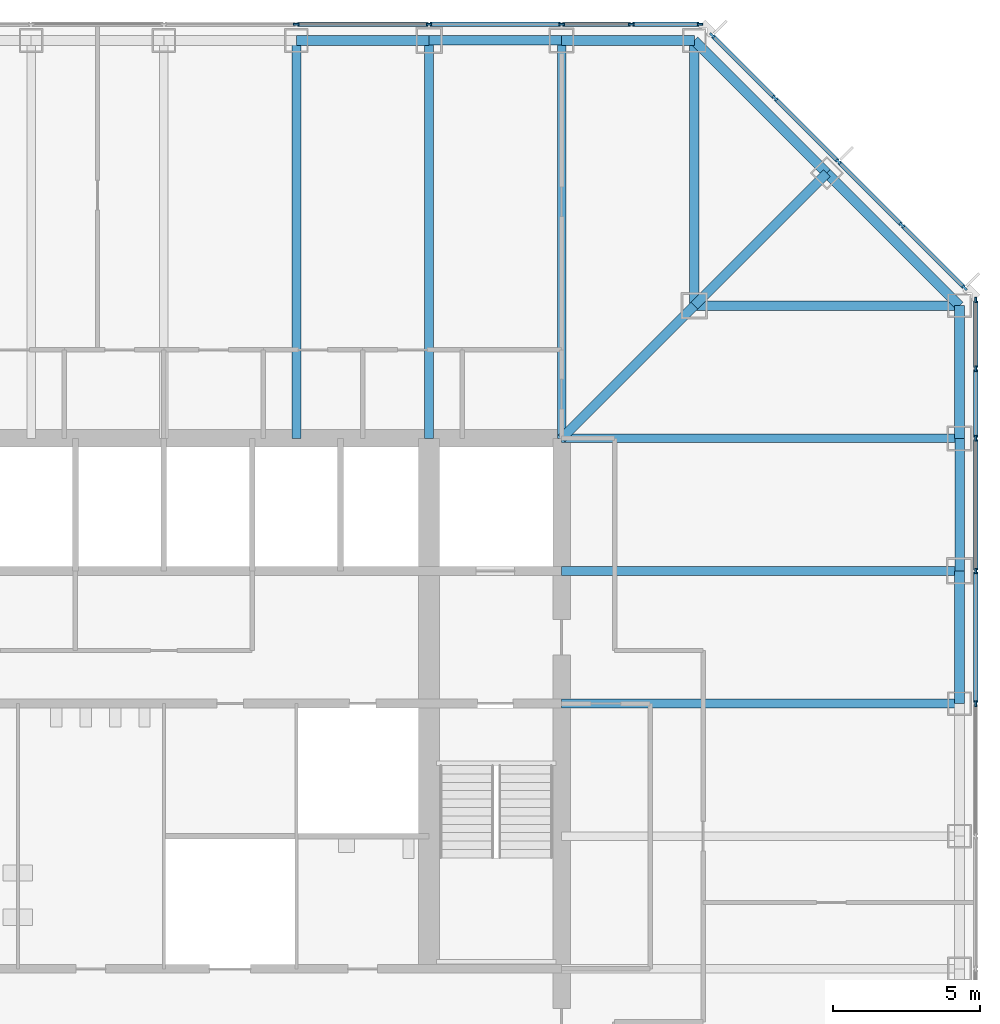
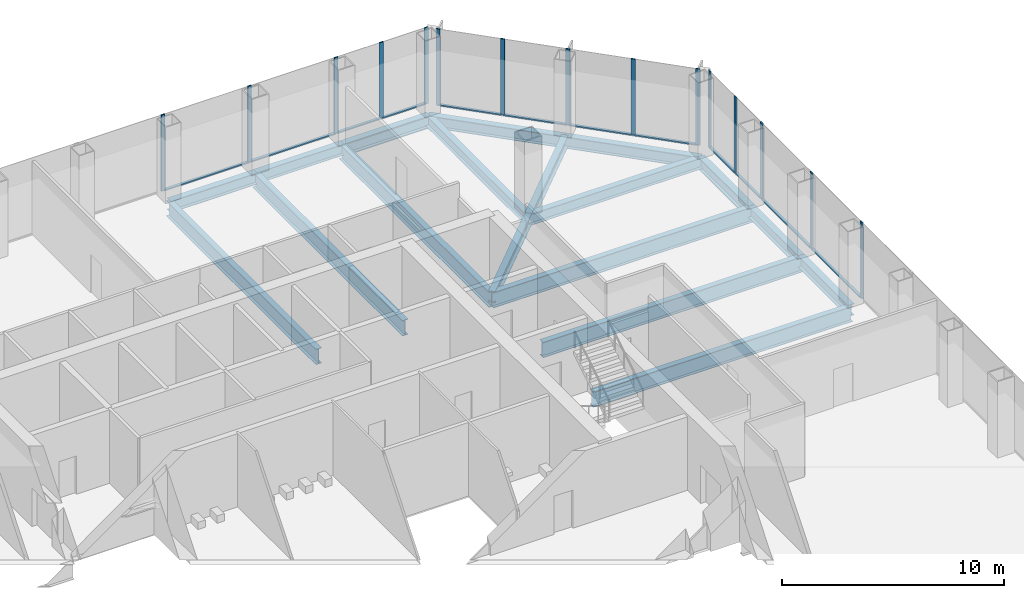
# One storey, part 6 of 13: 27 members, 18 beams, 3 elements without a shape of their own.
"""IFC4 building model written with IfcOpenShell, lengths in metres."""

import ifcopenshell
import ifcopenshell.guid

model = None  # the IFC model being written
_history = None  # IfcOwnerHistory: only IFC2X3 demands one
_inside = {}  # id of a spatial element -> (the spatial element, [elements in it])
_under = {}  # id of a project, library or spatial element -> (it, [spatial elements below it])
_declared = {}  # id of a project -> (the project, [libraries it declares])
_typed = {}  # id of a type object -> (the type object, [elements of that type])
_made_of = {}  # id of a material, layer set ... -> (it, [elements and type objects made of it])


def new_model(schema):
    """Start an empty IFC model of exactly this schema.

    Asked for "IFC4X3", IfcOpenShell would pick the latest addendum, in which some entities
    have other attributes; the version numbers below select the first issue.
    IFC2X3 requires an IfcOwnerHistory on every rooted entity: one is made here for all.
    """
    global model, _history
    if schema == "IFC4X3":
        model = ifcopenshell.file(schema_version=(4, 3, 0, 0))
    else:
        model = ifcopenshell.file(schema=schema)
    _inside.clear()
    _under.clear()
    _declared.clear()
    _typed.clear()
    _made_of.clear()
    _history = None
    if model.schema == "IFC2X3":
        org = make("IfcOrganization", Name="unknown")
        user = make(
            "IfcPersonAndOrganization",
            ThePerson=make("IfcPerson", FamilyName="unknown"),
            TheOrganization=org,
        )
        app = make(
            "IfcApplication",
            ApplicationDeveloper=org,
            Version="unknown",
            ApplicationFullName="unknown",
            ApplicationIdentifier="unknown",
        )
        _history = make(
            "IfcOwnerHistory",
            OwningUser=user,
            OwningApplication=app,
            ChangeAction="ADDED",
            CreationDate=0,
        )
    return model


def make(cls, **values):
    """One entity of the class cls with the attributes given. An attribute that is None is left unset."""
    return model.create_entity(
        cls, **{name: value for name, value in values.items() if value is not None}
    )


def rooted(cls, **values):
    """An entity with a GlobalId (a new one), such as an element, a storey or a relation."""
    return make(cls, GlobalId=ifcopenshell.guid.new(), OwnerHistory=_history, **values)


def si_unit(unit_type, name, prefix=None):
    """IfcSIUnit, for example si_unit("LENGTHUNIT", "METRE", prefix="MILLI")."""
    return make("IfcSIUnit", UnitType=unit_type, Prefix=prefix, Name=name)


def assignment(units):
    """IfcUnitAssignment: the units of a project."""
    return None if units is None else make("IfcUnitAssignment", Units=units)


def point(xyz):
    """IfcCartesianPoint."""
    return None if xyz is None else make("IfcCartesianPoint", Coordinates=xyz)


def direction(xyz):
    """IfcDirection."""
    return None if xyz is None else make("IfcDirection", DirectionRatios=xyz)


def frame(location, z_axis=None, x_axis=None):
    """IfcAxis2Placement3D, a coordinate frame: its origin and axes. An axis left out is left unset."""
    return make(
        "IfcAxis2Placement3D",
        Location=point(location),
        Axis=direction(z_axis),
        RefDirection=direction(x_axis),
    )


def frame_2d(location, x_axis=None):
    """IfcAxis2Placement2D, a coordinate frame in the plane: its origin and x axis."""
    return make(
        "IfcAxis2Placement2D", Location=point(location), RefDirection=direction(x_axis)
    )


def origin():
    """The frame at (0, 0, 0) with its axes left unset."""
    return frame((0.0, 0.0, 0.0))


def origin_2d():
    """The frame at (0, 0) in the plane with its x axis left unset."""
    return frame_2d((0.0, 0.0))


def place(relative_to, where):
    """IfcLocalPlacement: puts the frame where relative to a parent placement (None: the world)."""
    return make(
        "IfcLocalPlacement", PlacementRelTo=relative_to, RelativePlacement=where
    )


def context(
    kind, dimensions, precision=None, world=None, true_north=None, identifier=None
):
    """IfcGeometricRepresentationContext, for example the 3D "Model" context."""
    return make(
        "IfcGeometricRepresentationContext",
        ContextIdentifier=identifier,
        ContextType=kind,
        CoordinateSpaceDimension=dimensions,
        Precision=precision,
        WorldCoordinateSystem=world,
        TrueNorth=true_north,
    )


def subcontext(parent, identifier, kind, view, scale=None):
    """IfcGeometricRepresentationSubContext, for example "Body" below "Model"."""
    return make(
        "IfcGeometricRepresentationSubContext",
        ContextIdentifier=identifier,
        ContextType=kind,
        ParentContext=parent,
        TargetScale=scale,
        TargetView=view,
    )


def project(units=None, contexts=None):
    """IfcProject with its units and contexts."""
    return rooted(
        "IfcProject",
        Name="project",
        RepresentationContexts=contexts,
        UnitsInContext=assignment(units),
    )


def spatial(cls, under=None, at=None, **own):
    """A site, building, storey or space (cls), placed at a placement, below another one or the project."""
    s = rooted(cls, ObjectPlacement=at, **own)
    if under is not None:
        _under.setdefault(under.id(), (under, []))[1].append(s)
    return s


def profile(cls, at=None, kind="AREA", **sizes):
    """A parametric profile (cls). Its sizes go by their IFC names, for example OverallWidth=200.0."""
    return make(cls, ProfileType=kind, Position=at, **sizes)


def rectangle(**sizes):
    """IfcRectangleProfileDef."""
    return profile("IfcRectangleProfileDef", **sizes)


def i_section(**sizes):
    """IfcIShapeProfileDef."""
    return profile("IfcIShapeProfileDef", **sizes)


def extrude(swept, where, along, depth):
    """IfcExtrudedAreaSolid: the profile swept, set in the frame where, extruded along a direction by depth."""
    return make(
        "IfcExtrudedAreaSolid",
        SweptArea=swept,
        Position=where,
        ExtrudedDirection=direction(along),
        Depth=depth,
    )


def shape(context_of_items, identifier, shape_type, items):
    """IfcShapeRepresentation: the items that make up one representation, for example the "Body"."""
    return make(
        "IfcShapeRepresentation",
        ContextOfItems=context_of_items,
        RepresentationIdentifier=identifier,
        RepresentationType=shape_type,
        Items=items,
    )


def material(Name=None, Category=None):
    """IfcMaterial."""
    return make("IfcMaterial", Name=Name, Category=Category)


def material_profile(
    of_material, cross_section, Name=None, Category=None, Priority=None
):
    """IfcMaterialProfile: a cross section and its material."""
    return make(
        "IfcMaterialProfile",
        Name=Name,
        Material=of_material,
        Profile=cross_section,
        Priority=Priority,
        Category=Category,
    )


def profile_set(profiles, Name=None, composite=None):
    """IfcMaterialProfileSet."""
    return make(
        "IfcMaterialProfileSet",
        Name=Name,
        MaterialProfiles=profiles,
        CompositeProfile=composite,
    )


def made_of(thing, what):
    """Note that an element or type object is made of a material, layer set ...; save() writes the relation."""
    if what is not None:
        _made_of.setdefault(what.id(), (what, []))[1].append(thing)
    return thing


def type_object(cls, material=None, **own):
    """A type object (cls), such as IfcWallType, which elements share."""
    return made_of(rooted(cls, **own), material)


def element(
    cls,
    number,
    at=None,
    inside=None,
    cuts=None,
    type_object=None,
    material=None,
    context=None,
    identifier="Body",
    shape_type=None,
    held_by="IfcProductDefinitionShape",
    body=None,
    shapes=None,
    **own,
):
    """One element of the class cls, such as IfcWall. Its Tag is "e" and its number.

    at: its placement. inside: the storey or other place that contains it. cuts: it is an
    opening in that element (IfcRelVoidsElement). A single representation is given by context,
    identifier, shape_type and body (its items); several are given by shapes. held_by: the class
    of the entity that holds the representations. save() writes the other relations.
    """
    e = rooted(cls, Tag="e%d" % number, ObjectPlacement=at, **own)
    if body is not None:
        shapes = [shape(context, identifier, shape_type, body)]
    if shapes is not None:
        e.Representation = make(held_by, Representations=shapes)
    if inside is not None:
        _inside.setdefault(inside.id(), (inside, []))[1].append(e)
    if cuts is not None:
        rooted(
            "IfcRelVoidsElement", RelatingBuildingElement=cuts, RelatedOpeningElement=e
        )
    if type_object is not None:
        _typed.setdefault(type_object.id(), (type_object, []))[1].append(e)
    return made_of(e, material)


def aggregate(whole, parts):
    """IfcRelAggregates: a whole, such as a stair, and the parts it consists of."""
    return rooted("IfcRelAggregates", RelatingObject=whole, RelatedObjects=parts)


def save(model, path):
    """Write the relations noted so far, then the file.

    IfcRelAggregates (storeys below a building ...), IfcRelContainedInSpatialStructure (elements
    in a storey), IfcRelDefinesByType, IfcRelAssociatesMaterial and IfcRelDeclares: one each for
    every whole, place, type object, material and project.
    """
    for whole, parts in _under.values():
        aggregate(whole, parts)
    for where, things in _inside.values():
        rooted(
            "IfcRelContainedInSpatialStructure",
            RelatedElements=things,
            RelatingStructure=where,
        )
    for kind, things in _typed.values():
        rooted("IfcRelDefinesByType", RelatedObjects=things, RelatingType=kind)
    for what, things in _made_of.values():
        rooted("IfcRelAssociatesMaterial", RelatedObjects=things, RelatingMaterial=what)
    for by, libraries in _declared.values():
        rooted("IfcRelDeclares", RelatingContext=by, RelatedDefinitions=libraries)
    model.write(path)


model = new_model("IFC4")

# Units and contexts
model_context = context("Model", 3, precision=1e-05, world=origin(), true_north=direction((0.0, 1.0)))
body_context = subcontext(model_context, "Body", "Model", "MODEL_VIEW")
ifc_project = project(units=[si_unit("LENGTHUNIT", "METRE"), si_unit("AREAUNIT", "SQUARE_METRE"), si_unit("VOLUMEUNIT", "CUBIC_METRE"), si_unit("PLANEANGLEUNIT", "RADIAN"), si_unit("MASSUNIT", "GRAM", prefix="KILO")], contexts=[model_context])

# Site, building, storey
site_placement = place(None, origin())
site = spatial("IfcSite", under=ifc_project, at=site_placement, CompositionType="ELEMENT")
building_placement = place(site_placement, origin())
building = spatial("IfcBuilding", under=site, at=building_placement, Name="Corais Broadcast Tower", CompositionType="ELEMENT")
storey_placement = place(building_placement, frame((0.0, 0.0, 62.60009765625)))
storey = spatial("IfcBuildingStorey", under=building, at=storey_placement, Name="L13", CompositionType="ELEMENT", Elevation=62.60009765625)

# Beams
ifc_material_1 = material(Name="Steel ASTM A572 Grade 50", Category="steel")
ifc_material_profile_1 = material_profile(ifc_material_1, i_section(OverallWidth=0.323974609375, OverallDepth=0.611083984375, WebThickness=0.0126953125, FlangeThickness=0.01904296875, at=origin_2d()), Name="W610x155")
ifc_profile_set_1 = profile_set([ifc_material_profile_1], Name="Steel ASTM A572 Grade 50")
beam_type_1 = type_object("IfcBeamType", Name="Chamfer tie W610x155", PredefinedType="BEAM", material=ifc_profile_set_1)
beam_1_placement = place(storey_placement, frame((49.5, 49.5, -0.465576171875), z_axis=(-0.707106781187, -0.707106781187, 0.0), x_axis=(0.707106781187, -0.707106781187, 0.0)))
element("IfcBeam", 1, at=beam_1_placement, inside=storey, type_object=beam_type_1, Name="B5 M/14 to L/13", PredefinedType="BEAM", context=body_context, shape_type="SweptSolid", body=[
    extrude(i_section(OverallWidth=0.323974609375, OverallDepth=0.611083984375, WebThickness=0.0126953125, FlangeThickness=0.01904296875, at=origin_2d()), origin(), (0.0, 0.0, 1.0), 6.364013671875),
])
ifc_material_2 = material(Name="Steel ASTM A572 Grade 50", Category="steel")
ifc_material_profile_2 = material_profile(ifc_material_2, i_section(OverallWidth=0.323974609375, OverallDepth=0.611083984375, WebThickness=0.0126953125, FlangeThickness=0.01904296875, at=origin_2d()), Name="W610x155")
ifc_profile_set_2 = profile_set([ifc_material_profile_2], Name="Steel ASTM A572 Grade 50")
beam_type_2 = type_object("IfcBeamType", Name="Corner diagonal W610x155", PredefinedType="BEAM", material=ifc_profile_set_2)
beam_2_placement = place(storey_placement, frame((45.0, 45.0, -0.465576171875), z_axis=(-0.707106781187, -0.707106781187, 0.0), x_axis=(0.707106781187, -0.707106781187, 0.0)))
element("IfcBeam", 2, at=beam_2_placement, inside=storey, type_object=beam_type_2, Name="B6 L/13 to K/12", PredefinedType="BEAM", context=body_context, shape_type="SweptSolid", body=[
    extrude(i_section(OverallWidth=0.323974609375, OverallDepth=0.611083984375, WebThickness=0.0126953125, FlangeThickness=0.01904296875, at=origin_2d()), origin(), (0.0, 0.0, 1.0), 6.364013671875),
])
ifc_material_3 = material(Name="Steel ASTM A572 Grade 50", Category="steel")
ifc_material_profile_3 = material_profile(ifc_material_3, i_section(OverallWidth=0.323974609375, OverallDepth=0.611083984375, WebThickness=0.0126953125, FlangeThickness=0.01904296875, at=origin_2d()), Name="W610x155")
ifc_profile_set_3 = profile_set([ifc_material_profile_3], Name="Steel ASTM A572 Grade 50")
beam_type_3 = type_object("IfcBeamType", Name="Corner girder W610x155", PredefinedType="BEAM", material=ifc_profile_set_3)
for number, where, z_axis, x_axis, name in (
    (3, (45.0, 54.0, -0.465576171875), (0.0, -1.0, 0.0), (1.0, 0.0, 0.0), "B4 N/13 to L/13"),
    (4, (54.0, 45.0, -0.465576171875), (-1.0, 0.0, 0.0), (0.0, -1.0, 0.0), "B4 L/15 to L/13"),
):
    element("IfcBeam", number, at=place(storey_placement, frame(where, z_axis=z_axis, x_axis=x_axis)), inside=storey, type_object=beam_type_3, Name=name, PredefinedType="BEAM", context=body_context, shape_type="SweptSolid", body=[
        extrude(i_section(OverallWidth=0.323974609375, OverallDepth=0.611083984375, WebThickness=0.0126953125, FlangeThickness=0.01904296875, at=origin_2d()), origin(), (0.0, 0.0, 1.0), 9.0),
    ])
ifc_material_4 = material(Name="Steel ASTM A572 Grade 50", Category="steel")
ifc_material_profile_4 = material_profile(ifc_material_4, i_section(OverallWidth=0.337890625, OverallDepth=0.677978515625, WebThickness=0.029541015625, FlangeThickness=0.052978515625, at=origin_2d()), Name="W610x415")
ifc_profile_set_4 = profile_set([ifc_material_profile_4], Name="Steel ASTM A572 Grade 50")
beam_type_4 = type_object("IfcBeamType", Name="Corner spandrel W610x415", PredefinedType="BEAM", material=ifc_profile_set_4)
for number, where, z_axis, x_axis, name in (
    (5, (45.0, 54.0, -0.4990234375), (-1.0, 0.0, 0.0), (0.0, -1.0, 0.0), "SB10 N/13 to N/12"),
    (6, (54.0, 40.5, -0.4990234375), (0.0, 1.0, 0.0), (-1.0, 0.0, 0.0), "SB10 K/15 to L/15"),
):
    element("IfcBeam", number, at=place(storey_placement, frame(where, z_axis=z_axis, x_axis=x_axis)), inside=storey, type_object=beam_type_4, Name=name, PredefinedType="BEAM", context=body_context, shape_type="SweptSolid", body=[
        extrude(i_section(OverallWidth=0.337890625, OverallDepth=0.677978515625, WebThickness=0.029541015625, FlangeThickness=0.052978515625, at=origin_2d()), origin(), (0.0, 0.0, 1.0), 4.5),
    ])
ifc_material_5 = material(Name="Steel ASTM A572 Grade 50", Category="steel")
ifc_material_profile_5 = material_profile(ifc_material_5, i_section(OverallWidth=0.2939453125, OverallDepth=0.85107421875, WebThickness=0.01611328125, FlangeThickness=0.02685546875, at=origin_2d()), Name="W840x226")
ifc_profile_set_5 = profile_set([ifc_material_profile_5], Name="Steel ASTM A572 Grade 50")
beam_type_5 = type_object("IfcBeamType", Name="Floor beam W840x226", PredefinedType="BEAM", material=ifc_profile_set_5)
for number, where, z_axis, x_axis, name in (
    (7, (31.5, 54.0, -0.585693359375), (0.0, -1.0, 0.0), (1.0, 0.0, 0.0), "B1 N/10 to K/10"),
    (8, (36.0, 54.0, -0.585693359375), (0.0, -1.0, 0.0), (1.0, 0.0, 0.0), "B1 N/11 to K/11"),
    (9, (40.5, 54.0, -0.585693359375), (0.0, -1.0, 0.0), (1.0, 0.0, 0.0), "B1 N/12 to K/12"),
    (10, (54.0, 31.5, -0.585693359375), (-1.0, 0.0, 0.0), (0.0, -1.0, 0.0), "B1 H/15 to H/12"),
    (11, (54.0, 36.0, -0.585693359375), (-1.0, 0.0, 0.0), (0.0, -1.0, 0.0), "B1 J/15 to J/12"),
    (12, (54.0, 40.5, -0.585693359375), (-1.0, 0.0, 0.0), (0.0, -1.0, 0.0), "B1 K/15 to K/12"),
):
    element("IfcBeam", number, at=place(storey_placement, frame(where, z_axis=z_axis, x_axis=x_axis)), inside=storey, type_object=beam_type_5, Name=name, PredefinedType="BEAM", context=body_context, shape_type="SweptSolid", body=[
        extrude(i_section(OverallWidth=0.2939453125, OverallDepth=0.85107421875, WebThickness=0.01611328125, FlangeThickness=0.02685546875, at=origin_2d()), origin(), (0.0, 0.0, 1.0), 13.5),
    ])

# Curtain wall, members
ifc_material_6 = material(Name="Aluminium and glass", Category="aluminium")
curtain_wall_type = type_object("IfcCurtainWallType", Name="Unitised fritted curtain wall CW1", PredefinedType="NOTDEFINED", material=ifc_material_6)
curtain_wall_1_placement = place(storey_placement, origin())
curtain_wall_1 = element("IfcCurtainWall", 13, at=curtain_wall_1_placement, inside=storey, type_object=curtain_wall_type, Name="CW1 curtain wall L13 4", PredefinedType="NOTDEFINED")
ifc_material_7 = material(Name="Aluminium 6063-T6", Category="aluminium")
ifc_material_profile_6 = material_profile(ifc_material_7, rectangle(XDim=0.06494140625, YDim=0.199951171875, at=origin_2d()), Name="Mullion CW1 65x200")
ifc_profile_set_6 = profile_set([ifc_material_profile_6], Name="Aluminium 6063-T6")
member_type_1 = type_object("IfcMemberType", Name="Mullion CW1 65x200", PredefinedType="MULLION", material=ifc_profile_set_6)
member_1_placement = place(storey_placement, frame((31.5, 54.550048828125, 0.0), z_axis=(0.0, 0.0, 1.0), x_axis=(0.0, 1.0, 0.0)))
member_1 = element("IfcMember", 14, at=member_1_placement, type_object=member_type_1, Name="CW1 mullion 7", PredefinedType="MULLION", context=body_context, shape_type="SweptSolid", body=[
    extrude(rectangle(XDim=0.06494140625, YDim=0.199951171875, at=origin_2d()), origin(), (0.0, 0.0, 1.0), 4.199951171875),
])
member_2_placement = place(storey_placement, frame((36.0, 54.550048828125, 0.0), z_axis=(0.0, 0.0, 1.0), x_axis=(0.0, 1.0, 0.0)))
member_2 = element("IfcMember", 15, at=member_2_placement, type_object=member_type_1, Name="CW1 mullion 8", PredefinedType="MULLION", context=body_context, shape_type="SweptSolid", body=[
    extrude(rectangle(XDim=0.06494140625, YDim=0.199951171875, at=origin_2d()), origin(), (0.0, 0.0, 1.0), 4.199951171875),
])
member_3_placement = place(storey_placement, frame((40.5, 54.550048828125, 0.0), z_axis=(0.0, 0.0, 1.0), x_axis=(0.0, 1.0, 0.0)))
member_3 = element("IfcMember", 16, at=member_3_placement, type_object=member_type_1, Name="CW1 mullion 9", PredefinedType="MULLION", context=body_context, shape_type="SweptSolid", body=[
    extrude(rectangle(XDim=0.06494140625, YDim=0.199951171875, at=origin_2d()), origin(), (0.0, 0.0, 1.0), 4.199951171875),
])
member_4_placement = place(storey_placement, frame((42.864013671875, 54.550048828125, 0.0), z_axis=(0.0, 0.0, 1.0), x_axis=(0.0, 1.0, 0.0)))
member_4 = element("IfcMember", 17, at=member_4_placement, type_object=member_type_1, Name="CW1 mullion 10", PredefinedType="MULLION", context=body_context, shape_type="SweptSolid", body=[
    extrude(rectangle(XDim=0.06494140625, YDim=0.199951171875, at=origin_2d()), origin(), (0.0, 0.0, 1.0), 4.199951171875),
])
member_5_placement = place(storey_placement, frame((45.1953125, 54.550048828125, 0.0), z_axis=(0.0, 0.0, 1.0), x_axis=(0.0, 1.0, 0.0)))
member_5 = element("IfcMember", 18, at=member_5_placement, type_object=member_type_1, Name="CW1 mullion 11", PredefinedType="MULLION", context=body_context, shape_type="SweptSolid", body=[
    extrude(rectangle(XDim=0.06494140625, YDim=0.199951171875, at=origin_2d()), origin(), (0.0, 0.0, 1.0), 4.199951171875),
])

curtain_wall_2_placement = place(storey_placement, origin())
curtain_wall_2 = element("IfcCurtainWall", 19, at=curtain_wall_2_placement, inside=storey, type_object=curtain_wall_type, Name="CW1 curtain wall L13 5", PredefinedType="NOTDEFINED")
member_6_placement = place(storey_placement, frame((45.6044921875, 54.17333984375, 0.0), z_axis=(0.0, 0.0, 1.0), x_axis=(0.707106781187, 0.707106781187, 0.0)))
member_6 = element("IfcMember", 20, at=member_6_placement, type_object=member_type_1, Name="CW1 mullion 1", PredefinedType="MULLION", context=body_context, shape_type="SweptSolid", body=[
    extrude(rectangle(XDim=0.06494140625, YDim=0.199951171875, at=origin_2d()), origin(), (0.0, 0.0, 1.0), 4.199951171875),
])
member_7_placement = place(storey_placement, frame((47.735107421875, 52.042724609375, 0.0), z_axis=(0.0, 0.0, 1.0), x_axis=(0.707106781187, 0.707106781187, 0.0)))
member_7 = element("IfcMember", 21, at=member_7_placement, type_object=member_type_1, Name="CW1 mullion 2", PredefinedType="MULLION", context=body_context, shape_type="SweptSolid", body=[
    extrude(rectangle(XDim=0.06494140625, YDim=0.199951171875, at=origin_2d()), origin(), (0.0, 0.0, 1.0), 4.199951171875),
])
member_8_placement = place(storey_placement, frame((49.888916015625, 49.888916015625, 0.0), z_axis=(0.0, 0.0, 1.0), x_axis=(0.707106781187, 0.707106781187, 0.0)))
member_8 = element("IfcMember", 22, at=member_8_placement, type_object=member_type_1, Name="CW1 mullion 3", PredefinedType="MULLION", context=body_context, shape_type="SweptSolid", body=[
    extrude(rectangle(XDim=0.06494140625, YDim=0.199951171875, at=origin_2d()), origin(), (0.0, 0.0, 1.0), 4.199951171875),
])
member_9_placement = place(storey_placement, frame((52.042724609375, 47.735107421875, 0.0), z_axis=(0.0, 0.0, 1.0), x_axis=(0.707106781187, 0.707106781187, 0.0)))
member_9 = element("IfcMember", 23, at=member_9_placement, type_object=member_type_1, Name="CW1 mullion 4", PredefinedType="MULLION", context=body_context, shape_type="SweptSolid", body=[
    extrude(rectangle(XDim=0.06494140625, YDim=0.199951171875, at=origin_2d()), origin(), (0.0, 0.0, 1.0), 4.199951171875),
])
member_10_placement = place(storey_placement, frame((54.17333984375, 45.6044921875, 0.0), z_axis=(0.0, 0.0, 1.0), x_axis=(0.707106781187, 0.707106781187, 0.0)))
member_10 = element("IfcMember", 24, at=member_10_placement, type_object=member_type_1, Name="CW1 mullion 5", PredefinedType="MULLION", context=body_context, shape_type="SweptSolid", body=[
    extrude(rectangle(XDim=0.06494140625, YDim=0.199951171875, at=origin_2d()), origin(), (0.0, 0.0, 1.0), 4.199951171875),
])

curtain_wall_3_placement = place(storey_placement, origin())
curtain_wall_3 = element("IfcCurtainWall", 25, at=curtain_wall_3_placement, inside=storey, type_object=curtain_wall_type, Name="CW1 curtain wall L13 6", PredefinedType="NOTDEFINED")
member_11_placement = place(storey_placement, frame((54.550048828125, 45.1953125, 0.0), z_axis=(0.0, 0.0, 1.0), x_axis=(1.0, 0.0, 0.0)))
member_11 = element("IfcMember", 26, at=member_11_placement, type_object=member_type_1, Name="CW1 mullion 1", PredefinedType="MULLION", context=body_context, shape_type="SweptSolid", body=[
    extrude(rectangle(XDim=0.06494140625, YDim=0.199951171875, at=origin_2d()), origin(), (0.0, 0.0, 1.0), 4.199951171875),
])
member_12_placement = place(storey_placement, frame((54.550048828125, 42.864013671875, 0.0), z_axis=(0.0, 0.0, 1.0), x_axis=(1.0, 0.0, 0.0)))
member_12 = element("IfcMember", 27, at=member_12_placement, type_object=member_type_1, Name="CW1 mullion 2", PredefinedType="MULLION", context=body_context, shape_type="SweptSolid", body=[
    extrude(rectangle(XDim=0.06494140625, YDim=0.199951171875, at=origin_2d()), origin(), (0.0, 0.0, 1.0), 4.199951171875),
])
member_13_placement = place(storey_placement, frame((54.550048828125, 40.5, 0.0), z_axis=(0.0, 0.0, 1.0), x_axis=(1.0, 0.0, 0.0)))
member_13 = element("IfcMember", 28, at=member_13_placement, type_object=member_type_1, Name="CW1 mullion 3", PredefinedType="MULLION", context=body_context, shape_type="SweptSolid", body=[
    extrude(rectangle(XDim=0.06494140625, YDim=0.199951171875, at=origin_2d()), origin(), (0.0, 0.0, 1.0), 4.199951171875),
])
member_14_placement = place(storey_placement, frame((54.550048828125, 36.0, 0.0), z_axis=(0.0, 0.0, 1.0), x_axis=(1.0, 0.0, 0.0)))
member_14 = element("IfcMember", 29, at=member_14_placement, type_object=member_type_1, Name="CW1 mullion 4", PredefinedType="MULLION", context=body_context, shape_type="SweptSolid", body=[
    extrude(rectangle(XDim=0.06494140625, YDim=0.199951171875, at=origin_2d()), origin(), (0.0, 0.0, 1.0), 4.199951171875),
])
member_15_placement = place(storey_placement, frame((54.550048828125, 31.5, 0.0), z_axis=(0.0, 0.0, 1.0), x_axis=(1.0, 0.0, 0.0)))
member_15 = element("IfcMember", 30, at=member_15_placement, type_object=member_type_1, Name="CW1 mullion 5", PredefinedType="MULLION", context=body_context, shape_type="SweptSolid", body=[
    extrude(rectangle(XDim=0.06494140625, YDim=0.199951171875, at=origin_2d()), origin(), (0.0, 0.0, 1.0), 4.199951171875),
])

# Beams
ifc_material_8 = material(Name="Steel ASTM A572 Grade 50", Category="steel")
ifc_material_profile_7 = material_profile(ifc_material_8, i_section(OverallWidth=0.323974609375, OverallDepth=0.611083984375, WebThickness=0.0126953125, FlangeThickness=0.01904296875, at=origin_2d()), Name="W610x155")
ifc_profile_set_7 = profile_set([ifc_material_profile_7], Name="Steel ASTM A572 Grade 50")
beam_type_6 = type_object("IfcBeamType", Name="Pinned spandrel W610x155", PredefinedType="BEAM", material=ifc_profile_set_7)
for number, where, z_axis, x_axis, name in (
    (31, (40.5, 54.0, -0.465576171875), (-1.0, 0.0, 0.0), (0.0, -1.0, 0.0), "SB6 N/12 to N/11"),
    (32, (54.0, 36.0, -0.465576171875), (0.0, 1.0, 0.0), (-1.0, 0.0, 0.0), "SB6 J/15 to K/15"),
):
    element("IfcBeam", number, at=place(storey_placement, frame(where, z_axis=z_axis, x_axis=x_axis)), inside=storey, type_object=beam_type_6, Name=name, PredefinedType="BEAM", context=body_context, shape_type="SweptSolid", body=[
        extrude(i_section(OverallWidth=0.323974609375, OverallDepth=0.611083984375, WebThickness=0.0126953125, FlangeThickness=0.01904296875, at=origin_2d()), origin(), (0.0, 0.0, 1.0), 4.5),
    ])
ifc_material_9 = material(Name="Steel ASTM A572 Grade 50", Category="steel")
ifc_material_profile_8 = material_profile(ifc_material_9, i_section(OverallWidth=0.3291015625, OverallDepth=0.635009765625, WebThickness=0.017822265625, FlangeThickness=0.031005859375, at=origin_2d()), Name="W610x241")
ifc_profile_set_8 = profile_set([ifc_material_profile_8], Name="Steel ASTM A572 Grade 50")
beam_type_7 = type_object("IfcBeamType", Name="Spandrel W610x241", PredefinedType="BEAM", material=ifc_profile_set_8)
beam_3_placement = place(storey_placement, frame((36.0, 54.0, -0.4775390625), z_axis=(-1.0, 0.0, 0.0), x_axis=(0.0, -1.0, 0.0)))
element("IfcBeam", 33, at=beam_3_placement, inside=storey, type_object=beam_type_7, Name="SB1 N/11 to N/10", PredefinedType="BEAM", context=body_context, shape_type="SweptSolid", body=[
    extrude(i_section(OverallWidth=0.3291015625, OverallDepth=0.635009765625, WebThickness=0.017822265625, FlangeThickness=0.031005859375, at=origin_2d()), origin(), (0.0, 0.0, 1.0), 4.5),
])
beam_4_placement = place(storey_placement, frame((49.5, 49.5, -0.4775390625), z_axis=(-0.707106781187, 0.707106781187, 0.0), x_axis=(-0.707106781187, -0.707106781187, 0.0)))
element("IfcBeam", 34, at=beam_4_placement, inside=storey, type_object=beam_type_7, Name="SB1 M/14 to N/13", PredefinedType="BEAM", context=body_context, shape_type="SweptSolid", body=[
    extrude(i_section(OverallWidth=0.3291015625, OverallDepth=0.635009765625, WebThickness=0.017822265625, FlangeThickness=0.031005859375, at=origin_2d()), origin(), (0.0, 0.0, 1.0), 6.364013671875),
])
beam_5_placement = place(storey_placement, frame((54.0, 31.5, -0.4775390625), z_axis=(0.0, 1.0, 0.0), x_axis=(-1.0, 0.0, 0.0)))
element("IfcBeam", 35, at=beam_5_placement, inside=storey, type_object=beam_type_7, Name="SB1 H/15 to J/15", PredefinedType="BEAM", context=body_context, shape_type="SweptSolid", body=[
    extrude(i_section(OverallWidth=0.3291015625, OverallDepth=0.635009765625, WebThickness=0.017822265625, FlangeThickness=0.031005859375, at=origin_2d()), origin(), (0.0, 0.0, 1.0), 4.5),
])
beam_6_placement = place(storey_placement, frame((54.0, 45.0, -0.4775390625), z_axis=(-0.707106781187, 0.707106781187, 0.0), x_axis=(-0.707106781187, -0.707106781187, 0.0)))
element("IfcBeam", 36, at=beam_6_placement, inside=storey, type_object=beam_type_7, Name="SB1 L/15 to M/14", PredefinedType="BEAM", context=body_context, shape_type="SweptSolid", body=[
    extrude(i_section(OverallWidth=0.3291015625, OverallDepth=0.635009765625, WebThickness=0.017822265625, FlangeThickness=0.031005859375, at=origin_2d()), origin(), (0.0, 0.0, 1.0), 6.364013671875),
])

# Member
ifc_material_10 = material(Name="Aluminium 6063-T6", Category="aluminium")
ifc_material_profile_9 = material_profile(ifc_material_10, rectangle(XDim=0.139892578125, YDim=0.06494140625, at=origin_2d()), Name="Transom CW1 65x140")
ifc_profile_set_9 = profile_set([ifc_material_profile_9], Name="Aluminium 6063-T6")
member_type_2 = type_object("IfcMemberType", Name="Transom CW1 65x140", PredefinedType="USERDEFINED", material=ifc_profile_set_9)
member_16_placement = place(storey_placement, frame((31.532470703125, 54.550048828125, 0.032470703125), z_axis=(1.0, 0.0, 0.0), x_axis=(0.0, 1.0, 0.0)))
member_16 = element("IfcMember", 37, at=member_16_placement, type_object=member_type_2, Name="CW1 transom 7.1", ObjectType="TRANSOM", PredefinedType="USERDEFINED", context=body_context, shape_type="SweptSolid", body=[
    extrude(rectangle(XDim=0.139892578125, YDim=0.06494140625, at=origin_2d()), origin(), (0.0, 0.0, 1.0), 4.43505859375),
])

member_17_placement = place(storey_placement, frame((36.032470703125, 54.550048828125, 0.032470703125), z_axis=(1.0, 0.0, 0.0), x_axis=(0.0, 1.0, 0.0)))
member_17 = element("IfcMember", 38, at=member_17_placement, type_object=member_type_2, Name="CW1 transom 8.1", ObjectType="TRANSOM", PredefinedType="USERDEFINED", context=body_context, shape_type="SweptSolid", body=[
    extrude(rectangle(XDim=0.139892578125, YDim=0.06494140625, at=origin_2d()), origin(), (0.0, 0.0, 1.0), 4.43505859375),
])

member_18_placement = place(storey_placement, frame((40.532470703125, 54.550048828125, 0.032470703125), z_axis=(1.0, 0.0, 0.0), x_axis=(0.0, 1.0, 0.0)))
member_18 = element("IfcMember", 39, at=member_18_placement, type_object=member_type_2, Name="CW1 transom 9.1", ObjectType="TRANSOM", PredefinedType="USERDEFINED", context=body_context, shape_type="SweptSolid", body=[
    extrude(rectangle(XDim=0.139892578125, YDim=0.06494140625, at=origin_2d()), origin(), (0.0, 0.0, 1.0), 2.298828125),
])

member_19_placement = place(storey_placement, frame((42.896484375, 54.550048828125, 0.032470703125), z_axis=(1.0, 0.0, 0.0), x_axis=(0.0, 1.0, 0.0)))
member_19 = element("IfcMember", 40, at=member_19_placement, type_object=member_type_2, Name="CW1 transom 10.1", ObjectType="TRANSOM", PredefinedType="USERDEFINED", context=body_context, shape_type="SweptSolid", body=[
    extrude(rectangle(XDim=0.139892578125, YDim=0.06494140625, at=origin_2d()), origin(), (0.0, 0.0, 1.0), 2.266357421875),
])

aggregate(curtain_wall_1, [member_1, member_2, member_3, member_4, member_5, member_16, member_17, member_18, member_19])

member_20_placement = place(storey_placement, frame((45.62744140625, 54.150390625, 0.032470703125), z_axis=(0.707106781187, -0.707106781187, 0.0), x_axis=(0.707106781187, 0.707106781187, 0.0)))
member_20 = element("IfcMember", 41, at=member_20_placement, type_object=member_type_2, Name="CW1 transom 1.1", ObjectType="TRANSOM", PredefinedType="USERDEFINED", context=body_context, shape_type="SweptSolid", body=[
    extrude(rectangle(XDim=0.139892578125, YDim=0.06494140625, at=origin_2d()), origin(), (0.0, 0.0, 1.0), 2.9482421875),
])

member_21_placement = place(storey_placement, frame((47.758056640625, 52.019775390625, 0.032470703125), z_axis=(0.707106781187, -0.707106781187, 0.0), x_axis=(0.707106781187, 0.707106781187, 0.0)))
member_21 = element("IfcMember", 42, at=member_21_placement, type_object=member_type_2, Name="CW1 transom 2.1", ObjectType="TRANSOM", PredefinedType="USERDEFINED", context=body_context, shape_type="SweptSolid", body=[
    extrude(rectangle(XDim=0.139892578125, YDim=0.06494140625, at=origin_2d()), origin(), (0.0, 0.0, 1.0), 2.98095703125),
])

member_22_placement = place(storey_placement, frame((49.911865234375, 49.865966796875, 0.032470703125), z_axis=(0.707106781187, -0.707106781187, 0.0), x_axis=(0.707106781187, 0.707106781187, 0.0)))
member_22 = element("IfcMember", 43, at=member_22_placement, type_object=member_type_2, Name="CW1 transom 3.1", ObjectType="TRANSOM", PredefinedType="USERDEFINED", context=body_context, shape_type="SweptSolid", body=[
    extrude(rectangle(XDim=0.139892578125, YDim=0.06494140625, at=origin_2d()), origin(), (0.0, 0.0, 1.0), 2.98095703125),
])

member_23_placement = place(storey_placement, frame((52.065673828125, 47.712158203125, 0.032470703125), z_axis=(0.707106781187, -0.707106781187, 0.0), x_axis=(0.707106781187, 0.707106781187, 0.0)))
member_23 = element("IfcMember", 44, at=member_23_placement, type_object=member_type_2, Name="CW1 transom 4.1", ObjectType="TRANSOM", PredefinedType="USERDEFINED", context=body_context, shape_type="SweptSolid", body=[
    extrude(rectangle(XDim=0.139892578125, YDim=0.06494140625, at=origin_2d()), origin(), (0.0, 0.0, 1.0), 2.9482421875),
])

aggregate(curtain_wall_2, [member_6, member_7, member_8, member_9, member_10, member_20, member_21, member_22, member_23])

member_24_placement = place(storey_placement, frame((54.550048828125, 45.162841796875, 0.032470703125), z_axis=(0.0, -1.0, 0.0), x_axis=(1.0, 0.0, 0.0)))
member_24 = element("IfcMember", 45, at=member_24_placement, type_object=member_type_2, Name="CW1 transom 1.1", ObjectType="TRANSOM", PredefinedType="USERDEFINED", context=body_context, shape_type="SweptSolid", body=[
    extrude(rectangle(XDim=0.139892578125, YDim=0.06494140625, at=origin_2d()), origin(), (0.0, 0.0, 1.0), 2.266357421875),
])

member_25_placement = place(storey_placement, frame((54.550048828125, 42.831298828125, 0.032470703125), z_axis=(0.0, -1.0, 0.0), x_axis=(1.0, 0.0, 0.0)))
member_25 = element("IfcMember", 46, at=member_25_placement, type_object=member_type_2, Name="CW1 transom 2.1", ObjectType="TRANSOM", PredefinedType="USERDEFINED", context=body_context, shape_type="SweptSolid", body=[
    extrude(rectangle(XDim=0.139892578125, YDim=0.06494140625, at=origin_2d()), origin(), (0.0, 0.0, 1.0), 2.298828125),
])

member_26_placement = place(storey_placement, frame((54.550048828125, 40.467529296875, 0.032470703125), z_axis=(0.0, -1.0, 0.0), x_axis=(1.0, 0.0, 0.0)))
member_26 = element("IfcMember", 47, at=member_26_placement, type_object=member_type_2, Name="CW1 transom 3.1", ObjectType="TRANSOM", PredefinedType="USERDEFINED", context=body_context, shape_type="SweptSolid", body=[
    extrude(rectangle(XDim=0.139892578125, YDim=0.06494140625, at=origin_2d()), origin(), (0.0, 0.0, 1.0), 4.43505859375),
])

member_27_placement = place(storey_placement, frame((54.550048828125, 35.967529296875, 0.032470703125), z_axis=(0.0, -1.0, 0.0), x_axis=(1.0, 0.0, 0.0)))
member_27 = element("IfcMember", 48, at=member_27_placement, type_object=member_type_2, Name="CW1 transom 4.1", ObjectType="TRANSOM", PredefinedType="USERDEFINED", context=body_context, shape_type="SweptSolid", body=[
    extrude(rectangle(XDim=0.139892578125, YDim=0.06494140625, at=origin_2d()), origin(), (0.0, 0.0, 1.0), 4.43505859375),
])

aggregate(curtain_wall_3, [member_11, member_12, member_13, member_14, member_15, member_24, member_25, member_26, member_27])

save(model, "model.ifc")
